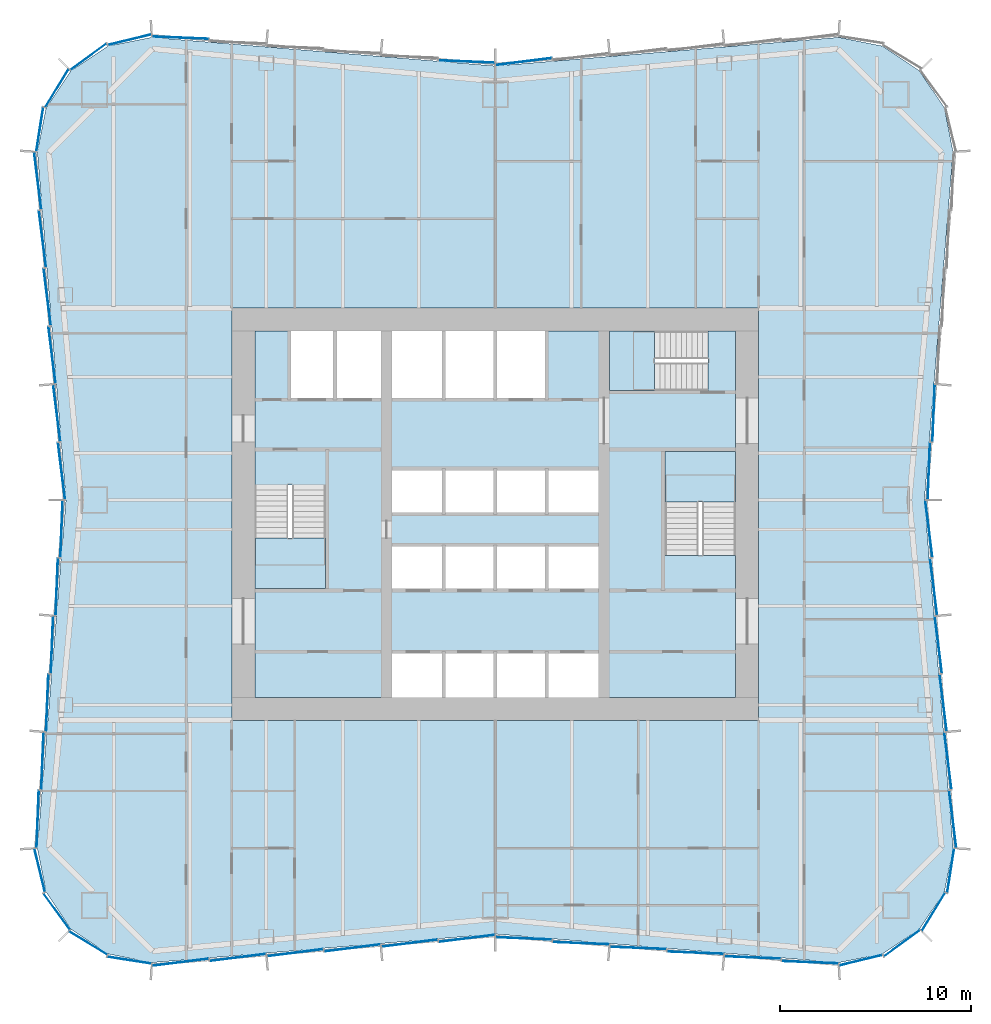
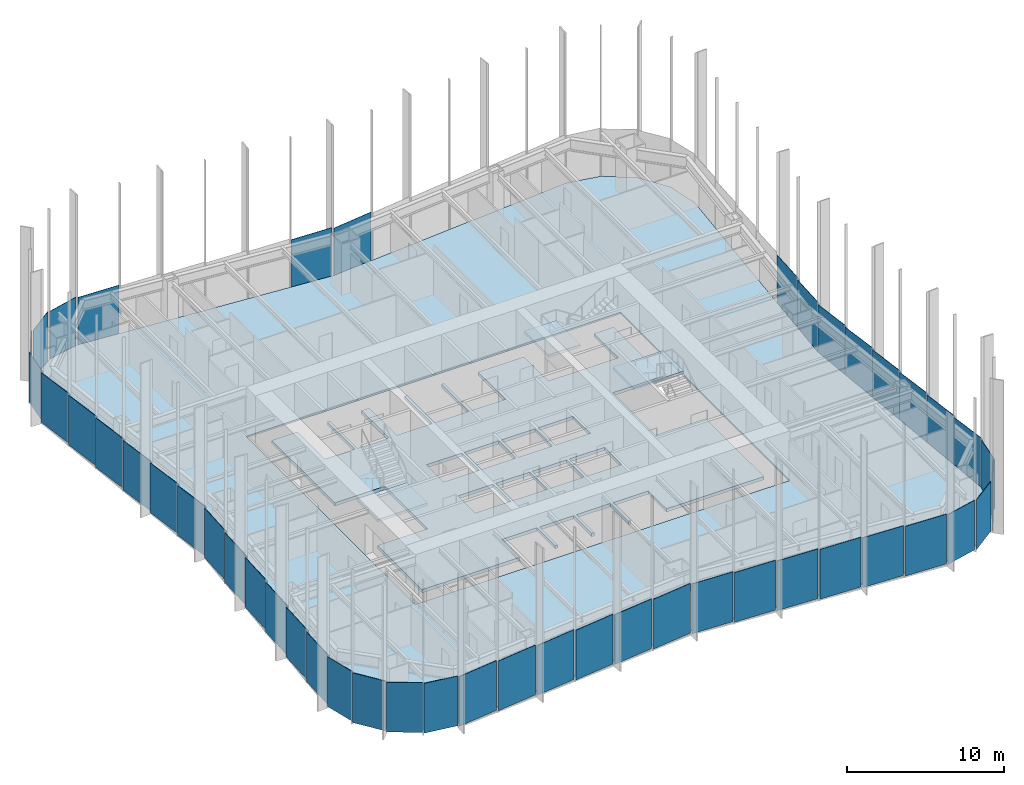
# One storey, part 7 of 13: 47 plates, 5 slabs, 10 elements without a shape of their own.
"""IFC4 building model written with IfcOpenShell, lengths in metres."""

from ifc_helpers import new_model, si_unit, direction, frame, origin, origin_2d, place, context, subcontext, project, spatial, polyline, rectangle, outline, extrude, material, layer, layer_set, type_object, element, aggregate, save


model = new_model("IFC4")

# Units and contexts
model_context = context("Model", 3, precision=1e-05, world=origin(), true_north=direction((0.0, 1.0)))
body_context = subcontext(model_context, "Body", "Model", "MODEL_VIEW")
ifc_project = project(units=[si_unit("LENGTHUNIT", "METRE"), si_unit("AREAUNIT", "SQUARE_METRE"), si_unit("VOLUMEUNIT", "CUBIC_METRE"), si_unit("PLANEANGLEUNIT", "RADIAN"), si_unit("MASSUNIT", "GRAM", prefix="KILO")], contexts=[model_context])

# Site, building, storey
site_placement = place(None, origin())
site = spatial("IfcSite", under=ifc_project, at=site_placement, CompositionType="ELEMENT")
building_placement = place(site_placement, origin())
building = spatial("IfcBuilding", under=site, at=building_placement, Name="Verdant Reach Tower", CompositionType="ELEMENT")
storey_placement = place(building_placement, frame((0.0, 0.0, 82.0)))
storey = spatial("IfcBuildingStorey", under=building, at=storey_placement, Name="L18", CompositionType="ELEMENT", Elevation=82.0)

# Stair, slab
ifc_material_1 = material(Name="Concrete C40/50", Category="concrete")
stair_type = type_object("IfcStairType", Name="CO-STAIR", PredefinedType="HALF_TURN_STAIR", material=ifc_material_1)
stair_1_placement = place(storey_placement, origin())
stair_1 = element("IfcStair", 1, at=stair_1_placement, inside=storey, type_object=stair_type, Name="L18 Exit stair 1", PredefinedType="HALF_TURN_STAIR")
ifc_layer_1 = layer(ifc_material_1, 0.199951171875)
ifc_layer_set_1 = layer_set([ifc_layer_1], Name="CO-STAIR-LANDING")
slab_type_1 = type_object("IfcSlabType", Name="CO-STAIR-LANDING", PredefinedType="LANDING", material=ifc_layer_set_1)
slab_1_placement = place(storey_placement, frame((0.0, 0.0, 1.800048828125)))
slab_1 = element("IfcSlab", 2, at=slab_1_placement, type_object=slab_type_1, Name="ST-1 landing 1", PredefinedType="LANDING", context=body_context, shape_type="SweptSolid", body=[
    extrude(outline(polyline([(-12.60009765625, 26.75), (-12.60009765625, 24.10009765625), (-8.89990234375, 24.10009765625), (-8.89990234375, 26.75), (-12.60009765625, 26.75)])), origin(), (0.0, 0.0, 1.0), 0.199951171875),
])
aggregate(stair_1, [slab_1])

stair_2_placement = place(storey_placement, origin())
stair_2 = element("IfcStair", 3, at=stair_2_placement, inside=storey, type_object=stair_type, Name="L18 Exit stair 2", PredefinedType="HALF_TURN_STAIR")
slab_2_placement = place(storey_placement, frame((0.0, 0.0, 1.800048828125)))
slab_2 = element("IfcSlab", 4, at=slab_2_placement, type_object=slab_type_1, Name="ST-2 landing 1", PredefinedType="LANDING", context=body_context, shape_type="SweptSolid", body=[
    extrude(outline(polyline([(12.60009765625, 28.64990234375), (12.60009765625, 31.300048828125), (8.89990234375, 31.300048828125), (8.89990234375, 28.64990234375), (12.60009765625, 28.64990234375)])), origin(), (0.0, 0.0, 1.0), 0.199951171875),
])
aggregate(stair_2, [slab_2])

stair_3_placement = place(storey_placement, origin())
stair_3 = element("IfcStair", 5, at=stair_3_placement, inside=storey, type_object=stair_type, Name="L18 Exit stair 3", PredefinedType="HALF_TURN_STAIR")
slab_3_placement = place(storey_placement, frame((0.0, 0.0, 1.800048828125)))
slab_3 = element("IfcSlab", 6, at=slab_3_placement, type_object=slab_type_1, Name="ST-3 landing 1", PredefinedType="LANDING", context=body_context, shape_type="SweptSolid", body=[
    extrude(outline(polyline([(8.35009765625, 37.60009765625), (6.0, 37.60009765625), (6.0, 34.5), (8.35009765625, 34.5), (8.35009765625, 37.60009765625)])), origin(), (0.0, 0.0, 1.0), 0.199951171875),
])
aggregate(stair_3, [slab_3])

# Curtain wall, plate
ifc_material_2 = material(Name="Anodised aluminium", Category="aluminium")
curtain_wall_type = type_object("IfcCurtainWallType", Name="EN-CW SYSTEM Z1", PredefinedType="NOTDEFINED", material=ifc_material_2)
curtain_wall_1_placement = place(storey_placement, origin())
curtain_wall_1 = element("IfcCurtainWall", 7, at=curtain_wall_1_placement, inside=storey, type_object=curtain_wall_type, Name="Curtain wall south-east corner, L18", PredefinedType="NOTDEFINED")
ifc_material_3 = material(Name="Tinted glass with champagne spandrel", Category="glass")
ifc_layer_2 = layer(ifc_material_3, 0.031982421875)
ifc_layer_set_2 = layer_set([ifc_layer_2], Name="EN-PANEL CHAMPAGNE")
plate_type_1 = type_object("IfcPlateType", Name="EN-PANEL CHAMPAGNE", PredefinedType="CURTAIN_PANEL", material=ifc_layer_set_2)
plate_1_placement = place(storey_placement, frame((19.170654296875, 4.62939453125, -0.22802734375), z_axis=(0.0, 0.0, 1.0), x_axis=(0.971660685934, 0.236380014828, 0.0)))
plate_1 = element("IfcPlate", 8, at=plate_1_placement, type_object=plate_type_1, Name="Glass panel south-east corner 1.1, L18", PredefinedType="CURTAIN_PANEL", context=body_context, shape_type="SweptSolid", body=[
    extrude(rectangle(XDim=2.317626953125, YDim=0.031982421875, at=origin_2d()), origin(), (0.0, 0.0, 1.0), 3.8779296875),
])

# Curtain wall, plates
curtain_wall_2_placement = place(storey_placement, origin())
curtain_wall_2 = element("IfcCurtainWall", 9, at=curtain_wall_2_placement, inside=storey, type_object=curtain_wall_type, Name="Curtain wall east, L18", PredefinedType="NOTDEFINED")
plate_2_placement = place(storey_placement, frame((22.9775390625, 24.196044921875, -0.22802734375), z_axis=(0.0, 0.0, 1.0), x_axis=(-0.123578623975, 0.992334784081, 0.0)))
plate_2 = element("IfcPlate", 10, at=plate_2_placement, type_object=plate_type_1, Name="Glass panel east face part 1 5.1, L18", PredefinedType="CURTAIN_PANEL", context=body_context, shape_type="SweptSolid", body=[
    extrude(rectangle(XDim=2.993896484375, YDim=0.031982421875, at=origin_2d()), origin(), (0.0, 0.0, 1.0), 3.8779296875),
])
plate_3_placement = place(storey_placement, frame((22.727783203125, 27.2333984375, -0.22802734375), z_axis=(0.0, 0.0, 1.0), x_axis=(-0.123691487663, 0.992320722287, 0.0)))
plate_3 = element("IfcPlate", 11, at=plate_3_placement, type_object=plate_type_1, Name="Glass panel east face part 1 6.1, L18", PredefinedType="CURTAIN_PANEL", context=body_context, shape_type="SweptSolid", body=[
    extrude(rectangle(XDim=2.985595703125, YDim=0.031982421875, at=origin_2d()), origin(), (0.0, 0.0, 1.0), 3.8779296875),
])
plate_4_placement = place(storey_placement, frame((22.727783203125, 30.2666015625, -0.22802734375), z_axis=(0.0, 0.0, 1.0), x_axis=(0.040222426271, 0.99919075077, 0.0)))
plate_4 = element("IfcPlate", 12, at=plate_4_placement, type_object=plate_type_1, Name="Glass panel east face part 2 1.1, L18", PredefinedType="CURTAIN_PANEL", context=body_context, shape_type="SweptSolid", body=[
    extrude(rectangle(XDim=2.985595703125, YDim=0.031982421875, at=origin_2d()), origin(), (0.0, 0.0, 1.0), 3.8779296875),
])

# Curtain wall, plate
curtain_wall_3_placement = place(storey_placement, origin())
curtain_wall_3 = element("IfcCurtainWall", 13, at=curtain_wall_3_placement, inside=storey, type_object=curtain_wall_type, Name="Curtain wall north, L18", PredefinedType="NOTDEFINED")
plate_5_placement = place(storey_placement, frame((-16.49853515625, 52.977783203125, -0.22802734375), z_axis=(0.0, 0.0, 1.0), x_axis=(-0.999162836679, 0.040909971885, 0.0)))
plate_5 = element("IfcPlate", 14, at=plate_5_placement, type_object=plate_type_1, Name="Glass panel north face part 2 6.1, L18", PredefinedType="CURTAIN_PANEL", context=body_context, shape_type="SweptSolid", body=[
    extrude(rectangle(XDim=2.966796875, YDim=0.031982421875, at=origin_2d()), origin(), (0.0, 0.0, 1.0), 3.8779296875),
])

# Curtain wall, plates
curtain_wall_4_placement = place(storey_placement, origin())
curtain_wall_4 = element("IfcCurtainWall", 15, at=curtain_wall_4_placement, inside=storey, type_object=curtain_wall_type, Name="Curtain wall north-west corner, L18", PredefinedType="NOTDEFINED")
plate_6_placement = place(storey_placement, frame((-22.97705078125, 50.325439453125, -0.22802734375), z_axis=(0.0, 0.0, 1.0), x_axis=(-0.520291572248, -0.85398868836, 0.0)))
plate_6 = element("IfcPlate", 16, at=plate_6_placement, type_object=plate_type_1, Name="Glass panel north-west corner 3.1, L18", PredefinedType="CURTAIN_PANEL", context=body_context, shape_type="SweptSolid", body=[
    extrude(rectangle(XDim=2.3232421875, YDim=0.031982421875, at=origin_2d()), origin(), (0.0, 0.0, 1.0), 3.8779296875),
])
plate_7_placement = place(storey_placement, frame((-23.87060546875, 48.170654296875, -0.22802734375), z_axis=(0.0, 0.0, 1.0), x_axis=(-0.154247912016, -0.988032176419, 0.0)))
plate_7 = element("IfcPlate", 17, at=plate_7_placement, type_object=plate_type_1, Name="Glass panel north-west corner 4.1, L18", PredefinedType="CURTAIN_PANEL", context=body_context, shape_type="SweptSolid", body=[
    extrude(rectangle(XDim=2.3173828125, YDim=0.031982421875, at=origin_2d()), origin(), (0.0, 0.0, 1.0), 3.8779296875),
])

curtain_wall_5_placement = place(storey_placement, origin())
curtain_wall_5 = element("IfcCurtainWall", 18, at=curtain_wall_5_placement, inside=storey, type_object=curtain_wall_type, Name="Curtain wall west, L18", PredefinedType="NOTDEFINED")
plate_8_placement = place(storey_placement, frame((-23.7275390625, 42.428955078125, -0.22802734375), z_axis=(0.0, 0.0, 1.0), x_axis=(0.123578623975, -0.992334784081, 0.0)))
plate_8 = element("IfcPlate", 19, at=plate_8_placement, type_object=plate_type_1, Name="Glass panel west face part 1 2.1, L18", PredefinedType="CURTAIN_PANEL", context=body_context, shape_type="SweptSolid", body=[
    extrude(rectangle(XDim=2.993896484375, YDim=0.031982421875, at=origin_2d()), origin(), (0.0, 0.0, 1.0), 3.8779296875),
])
plate_9_placement = place(storey_placement, frame((-23.4775390625, 39.387451171875, -0.22802734375), z_axis=(0.0, 0.0, 1.0), x_axis=(0.123578623975, -0.992334784081, 0.0)))
plate_9 = element("IfcPlate", 20, at=plate_9_placement, type_object=plate_type_1, Name="Glass panel west face part 1 3.1, L18", PredefinedType="CURTAIN_PANEL", context=body_context, shape_type="SweptSolid", body=[
    extrude(rectangle(XDim=2.993896484375, YDim=0.031982421875, at=origin_2d()), origin(), (0.0, 0.0, 1.0), 3.8779296875),
])
plate_10_placement = place(storey_placement, frame((-23.2275390625, 21.154296875, -0.22802734375), z_axis=(0.0, 0.0, 1.0), x_axis=(-0.040108781752, -0.999195319057, 0.0)))
plate_10 = element("IfcPlate", 21, at=plate_10_placement, type_object=plate_type_1, Name="Glass panel west face part 2 3.1, L18", PredefinedType="CURTAIN_PANEL", context=body_context, shape_type="SweptSolid", body=[
    extrude(rectangle(XDim=2.993896484375, YDim=0.031982421875, at=origin_2d()), origin(), (0.0, 0.0, 1.0), 3.8779296875),
])
plate_11_placement = place(storey_placement, frame((-23.4775390625, 18.112548828125, -0.22802734375), z_axis=(0.0, 0.0, 1.0), x_axis=(-0.040108781752, -0.999195319057, 0.0)))
plate_11 = element("IfcPlate", 22, at=plate_11_placement, type_object=plate_type_1, Name="Glass panel west face part 2 4.1, L18", PredefinedType="CURTAIN_PANEL", context=body_context, shape_type="SweptSolid", body=[
    extrude(rectangle(XDim=2.993896484375, YDim=0.031982421875, at=origin_2d()), origin(), (0.0, 0.0, 1.0), 3.8779296875),
])
plate_12_placement = place(storey_placement, frame((-23.7275390625, 15.071044921875, -0.22802734375), z_axis=(0.0, 0.0, 1.0), x_axis=(-0.040108781752, -0.999195319057, 0.0)))
plate_12 = element("IfcPlate", 23, at=plate_12_placement, type_object=plate_type_1, Name="Glass panel west face part 2 5.1, L18", PredefinedType="CURTAIN_PANEL", context=body_context, shape_type="SweptSolid", body=[
    extrude(rectangle(XDim=2.993896484375, YDim=0.031982421875, at=origin_2d()), origin(), (0.0, 0.0, 1.0), 3.8779296875),
])

curtain_wall_6_placement = place(storey_placement, origin())
curtain_wall_6 = element("IfcCurtainWall", 24, at=curtain_wall_6_placement, inside=storey, type_object=curtain_wall_type, Name="Curtain wall south-west corner, L18", PredefinedType="NOTDEFINED")
plate_13_placement = place(storey_placement, frame((-22.97705078125, 7.174560546875, -0.22802734375), z_axis=(0.0, 0.0, 1.0), x_axis=(0.589926768145, -0.807456753161, 0.0)))
plate_13 = element("IfcPlate", 25, at=plate_13_placement, type_object=plate_type_1, Name="Glass panel south-west corner 2.1, L18", PredefinedType="CURTAIN_PANEL", context=body_context, shape_type="SweptSolid", body=[
    extrude(rectangle(XDim=2.3232421875, YDim=0.031982421875, at=origin_2d()), origin(), (0.0, 0.0, 1.0), 3.8779296875),
])
plate_14_placement = place(storey_placement, frame((-21.325439453125, 5.52294921875, -0.22802734375), z_axis=(0.0, 0.0, 1.0), x_axis=(0.85398868836, -0.520291572248, 0.0)))
plate_14 = element("IfcPlate", 26, at=plate_14_placement, type_object=plate_type_1, Name="Glass panel south-west corner 3.1, L18", PredefinedType="CURTAIN_PANEL", context=body_context, shape_type="SweptSolid", body=[
    extrude(rectangle(XDim=2.3232421875, YDim=0.031982421875, at=origin_2d()), origin(), (0.0, 0.0, 1.0), 3.8779296875),
])

curtain_wall_7_placement = place(storey_placement, origin())
curtain_wall_7 = element("IfcCurtainWall", 27, at=curtain_wall_7_placement, inside=storey, type_object=curtain_wall_type, Name="Curtain wall south, L18", PredefinedType="NOTDEFINED")
plate_15_placement = place(storey_placement, frame((-16.49853515625, 4.522216796875, -0.22802734375), z_axis=(0.0, 0.0, 1.0), x_axis=(0.99223537376, 0.124374286167, 0.0)))
plate_15 = element("IfcPlate", 28, at=plate_15_placement, type_object=plate_type_1, Name="Glass panel south face part 1 1.1, L18", PredefinedType="CURTAIN_PANEL", context=body_context, shape_type="SweptSolid", body=[
    extrude(rectangle(XDim=2.966796875, YDim=0.031982421875, at=origin_2d()), origin(), (0.0, 0.0, 1.0), 3.8779296875),
])
plate_16_placement = place(storey_placement, frame((1.49560546875, 5.772216796875, -0.22802734375), z_axis=(0.0, 0.0, 1.0), x_axis=(0.99914430697, -0.041360051381, 0.0)))
plate_16 = element("IfcPlate", 29, at=plate_16_placement, type_object=plate_type_1, Name="Glass panel south face part 2 1.1, L18", PredefinedType="CURTAIN_PANEL", context=body_context, shape_type="SweptSolid", body=[
    extrude(rectangle(XDim=2.94384765625, YDim=0.031982421875, at=origin_2d()), origin(), (0.0, 0.0, 1.0), 3.8779296875),
])
plate_17_placement = place(storey_placement, frame((4.491455078125, 5.5224609375, -0.22802734375), z_axis=(0.0, 0.0, 1.0), x_axis=(0.999149202059, -0.041241629766, 0.0)))
plate_17 = element("IfcPlate", 30, at=plate_17_placement, type_object=plate_type_1, Name="Glass panel south face part 2 2.1, L18", PredefinedType="CURTAIN_PANEL", context=body_context, shape_type="SweptSolid", body=[
    extrude(rectangle(XDim=2.952392578125, YDim=0.031982421875, at=origin_2d()), origin(), (0.0, 0.0, 1.0), 3.8779296875),
])

# Plate
ifc_material_4 = material(Name="Tinted glass with copper spandrel", Category="glass")
ifc_layer_3 = layer(ifc_material_4, 0.031982421875)
ifc_layer_set_3 = layer_set([ifc_layer_3], Name="EN-PANEL COPPER")
plate_type_2 = type_object("IfcPlateType", Name="EN-PANEL COPPER", PredefinedType="CURTAIN_PANEL", material=ifc_layer_set_3)
plate_18_placement = place(storey_placement, frame((21.325439453125, 5.52294921875, -0.22802734375), z_axis=(0.0, 0.0, 1.0), x_axis=(0.807456753161, 0.589926768145, 0.0)))
plate_18 = element("IfcPlate", 31, at=plate_18_placement, type_object=plate_type_2, Name="Glass panel south-east corner 2.1, L18", PredefinedType="CURTAIN_PANEL", context=body_context, shape_type="SweptSolid", body=[
    extrude(rectangle(XDim=2.3232421875, YDim=0.031982421875, at=origin_2d()), origin(), (0.0, 0.0, 1.0), 3.8779296875),
])

plate_19_placement = place(storey_placement, frame((22.97705078125, 7.174560546875, -0.22802734375), z_axis=(0.0, 0.0, 1.0), x_axis=(0.520291572248, 0.85398868836, 0.0)))
plate_19 = element("IfcPlate", 32, at=plate_19_placement, type_object=plate_type_2, Name="Glass panel south-east corner 3.1, L18", PredefinedType="CURTAIN_PANEL", context=body_context, shape_type="SweptSolid", body=[
    extrude(rectangle(XDim=2.3232421875, YDim=0.031982421875, at=origin_2d()), origin(), (0.0, 0.0, 1.0), 3.8779296875),
])

plate_20_placement = place(storey_placement, frame((23.977783203125, 12.022216796875, -0.22802734375), z_axis=(0.0, 0.0, 1.0), x_axis=(-0.123256305275, 0.992374870304, 0.0)))
plate_20 = element("IfcPlate", 33, at=plate_20_placement, type_object=plate_type_2, Name="Glass panel east face part 1 1.1, L18", PredefinedType="CURTAIN_PANEL", context=body_context, shape_type="SweptSolid", body=[
    extrude(rectangle(XDim=3.00830078125, YDim=0.031982421875, at=origin_2d()), origin(), (0.0, 0.0, 1.0), 3.8779296875),
])

plate_21_placement = place(storey_placement, frame((23.7275390625, 15.071044921875, -0.22802734375), z_axis=(0.0, 0.0, 1.0), x_axis=(-0.123578623975, 0.992334784081, 0.0)))
plate_21 = element("IfcPlate", 34, at=plate_21_placement, type_object=plate_type_2, Name="Glass panel east face part 1 2.1, L18", PredefinedType="CURTAIN_PANEL", context=body_context, shape_type="SweptSolid", body=[
    extrude(rectangle(XDim=2.993896484375, YDim=0.031982421875, at=origin_2d()), origin(), (0.0, 0.0, 1.0), 3.8779296875),
])

plate_22_placement = place(storey_placement, frame((22.9775390625, 33.303955078125, -0.22802734375), z_axis=(0.0, 0.0, 1.0), x_axis=(0.040108781752, 0.999195319057, 0.0)))
plate_22 = element("IfcPlate", 35, at=plate_22_placement, type_object=plate_type_2, Name="Glass panel east face part 2 2.1, L18", PredefinedType="CURTAIN_PANEL", context=body_context, shape_type="SweptSolid", body=[
    extrude(rectangle(XDim=2.993896484375, YDim=0.031982421875, at=origin_2d()), origin(), (0.0, 0.0, 1.0), 3.8779296875),
])

plate_23_placement = place(storey_placement, frame((1.49560546875, 51.727783203125, -0.22802734375), z_axis=(0.0, 0.0, 1.0), x_axis=(-0.992179247355, -0.124821236644, 0.0)))
plate_23 = element("IfcPlate", 36, at=plate_23_placement, type_object=plate_type_2, Name="Glass panel north face part 1 6.1, L18", PredefinedType="CURTAIN_PANEL", context=body_context, shape_type="SweptSolid", body=[
    extrude(rectangle(XDim=2.94384765625, YDim=0.031982421875, at=origin_2d()), origin(), (0.0, 0.0, 1.0), 3.8779296875),
])

plate_24_placement = place(storey_placement, frame((-1.49560546875, 51.727783203125, -0.22802734375), z_axis=(0.0, 0.0, 1.0), x_axis=(-0.99914430697, 0.041360051381, 0.0)))
plate_24 = element("IfcPlate", 37, at=plate_24_placement, type_object=plate_type_2, Name="Glass panel north face part 2 1.1, L18", PredefinedType="CURTAIN_PANEL", context=body_context, shape_type="SweptSolid", body=[
    extrude(rectangle(XDim=2.94384765625, YDim=0.031982421875, at=origin_2d()), origin(), (0.0, 0.0, 1.0), 3.8779296875),
])

aggregate(curtain_wall_3, [plate_23, plate_24, plate_5])

plate_25_placement = place(storey_placement, frame((-23.2275390625, 36.345703125, -0.22802734375), z_axis=(0.0, 0.0, 1.0), x_axis=(0.123578623975, -0.992334784081, 0.0)))
plate_25 = element("IfcPlate", 38, at=plate_25_placement, type_object=plate_type_2, Name="Glass panel west face part 1 4.1, L18", PredefinedType="CURTAIN_PANEL", context=body_context, shape_type="SweptSolid", body=[
    extrude(rectangle(XDim=2.993896484375, YDim=0.031982421875, at=origin_2d()), origin(), (0.0, 0.0, 1.0), 3.8779296875),
])

plate_26_placement = place(storey_placement, frame((-22.9775390625, 33.303955078125, -0.22802734375), z_axis=(0.0, 0.0, 1.0), x_axis=(0.123578623975, -0.992334784081, 0.0)))
plate_26 = element("IfcPlate", 39, at=plate_26_placement, type_object=plate_type_2, Name="Glass panel west face part 1 5.1, L18", PredefinedType="CURTAIN_PANEL", context=body_context, shape_type="SweptSolid", body=[
    extrude(rectangle(XDim=2.993896484375, YDim=0.031982421875, at=origin_2d()), origin(), (0.0, 0.0, 1.0), 3.8779296875),
])

plate_27_placement = place(storey_placement, frame((-22.727783203125, 30.2666015625, -0.22802734375), z_axis=(0.0, 0.0, 1.0), x_axis=(0.123691487663, -0.992320722287, 0.0)))
plate_27 = element("IfcPlate", 40, at=plate_27_placement, type_object=plate_type_2, Name="Glass panel west face part 1 6.1, L18", PredefinedType="CURTAIN_PANEL", context=body_context, shape_type="SweptSolid", body=[
    extrude(rectangle(XDim=2.985595703125, YDim=0.031982421875, at=origin_2d()), origin(), (0.0, 0.0, 1.0), 3.8779296875),
])

plate_28_placement = place(storey_placement, frame((-23.977783203125, 12.022216796875, -0.22802734375), z_axis=(0.0, 0.0, 1.0), x_axis=(-0.039784239139, -0.999208293759, 0.0)))
plate_28 = element("IfcPlate", 41, at=plate_28_placement, type_object=plate_type_2, Name="Glass panel west face part 2 6.1, L18", PredefinedType="CURTAIN_PANEL", context=body_context, shape_type="SweptSolid", body=[
    extrude(rectangle(XDim=3.00830078125, YDim=0.031982421875, at=origin_2d()), origin(), (0.0, 0.0, 1.0), 3.8779296875),
])

plate_29_placement = place(storey_placement, frame((-19.170654296875, 4.62939453125, -0.22802734375), z_axis=(0.0, 0.0, 1.0), x_axis=(0.988032704995, -0.154244526195, 0.0)))
plate_29 = element("IfcPlate", 42, at=plate_29_placement, type_object=plate_type_2, Name="Glass panel south-west corner 4.1, L18", PredefinedType="CURTAIN_PANEL", context=body_context, shape_type="SweptSolid", body=[
    extrude(rectangle(XDim=2.317626953125, YDim=0.031982421875, at=origin_2d()), origin(), (0.0, 0.0, 1.0), 3.8779296875),
])

plate_30_placement = place(storey_placement, frame((-13.491455078125, 4.7724609375, -0.22802734375), z_axis=(0.0, 0.0, 1.0), x_axis=(0.992194034542, 0.124703639961, 0.0)))
plate_30 = element("IfcPlate", 43, at=plate_30_placement, type_object=plate_type_2, Name="Glass panel south face part 1 2.1, L18", PredefinedType="CURTAIN_PANEL", context=body_context, shape_type="SweptSolid", body=[
    extrude(rectangle(XDim=2.952392578125, YDim=0.031982421875, at=origin_2d()), origin(), (0.0, 0.0, 1.0), 3.8779296875),
])

plate_31_placement = place(storey_placement, frame((-10.491455078125, 5.0224609375, -0.22802734375), z_axis=(0.0, 0.0, 1.0), x_axis=(0.992194034542, 0.124703639961, 0.0)))
plate_31 = element("IfcPlate", 44, at=plate_31_placement, type_object=plate_type_2, Name="Glass panel south face part 1 3.1, L18", PredefinedType="CURTAIN_PANEL", context=body_context, shape_type="SweptSolid", body=[
    extrude(rectangle(XDim=2.952392578125, YDim=0.031982421875, at=origin_2d()), origin(), (0.0, 0.0, 1.0), 3.8779296875),
])

plate_32_placement = place(storey_placement, frame((7.491455078125, 5.2724609375, -0.22802734375), z_axis=(0.0, 0.0, 1.0), x_axis=(0.999149202059, -0.041241629766, 0.0)))
plate_32 = element("IfcPlate", 45, at=plate_32_placement, type_object=plate_type_2, Name="Glass panel south face part 2 3.1, L18", PredefinedType="CURTAIN_PANEL", context=body_context, shape_type="SweptSolid", body=[
    extrude(rectangle(XDim=2.952392578125, YDim=0.031982421875, at=origin_2d()), origin(), (0.0, 0.0, 1.0), 3.8779296875),
])

plate_33_placement = place(storey_placement, frame((10.491455078125, 5.0224609375, -0.22802734375), z_axis=(0.0, 0.0, 1.0), x_axis=(0.999149202059, -0.041241629766, 0.0)))
plate_33 = element("IfcPlate", 46, at=plate_33_placement, type_object=plate_type_2, Name="Glass panel south face part 2 4.1, L18", PredefinedType="CURTAIN_PANEL", context=body_context, shape_type="SweptSolid", body=[
    extrude(rectangle(XDim=2.952392578125, YDim=0.031982421875, at=origin_2d()), origin(), (0.0, 0.0, 1.0), 3.8779296875),
])

plate_34_placement = place(storey_placement, frame((13.491455078125, 4.7724609375, -0.22802734375), z_axis=(0.0, 0.0, 1.0), x_axis=(0.999149202059, -0.041241629766, 0.0)))
plate_34 = element("IfcPlate", 47, at=plate_34_placement, type_object=plate_type_2, Name="Glass panel south face part 2 5.1, L18", PredefinedType="CURTAIN_PANEL", context=body_context, shape_type="SweptSolid", body=[
    extrude(rectangle(XDim=2.952392578125, YDim=0.031982421875, at=origin_2d()), origin(), (0.0, 0.0, 1.0), 3.8779296875),
])

ifc_material_5 = material(Name="Tinted glass with dark bronze spandrel", Category="glass")
ifc_layer_4 = layer(ifc_material_5, 0.031982421875)
ifc_layer_set_4 = layer_set([ifc_layer_4], Name="EN-PANEL DARK")
plate_type_3 = type_object("IfcPlateType", Name="EN-PANEL DARK", PredefinedType="CURTAIN_PANEL", material=ifc_layer_set_4)
plate_35_placement = place(storey_placement, frame((23.87060546875, 9.329345703125, -0.22802734375), z_axis=(0.0, 0.0, 1.0), x_axis=(0.154247912016, 0.988032176419, 0.0)))
plate_35 = element("IfcPlate", 48, at=plate_35_placement, type_object=plate_type_3, Name="Glass panel south-east corner 4.1, L18", PredefinedType="CURTAIN_PANEL", context=body_context, shape_type="SweptSolid", body=[
    extrude(rectangle(XDim=2.3173828125, YDim=0.031982421875, at=origin_2d()), origin(), (0.0, 0.0, 1.0), 3.8779296875),
])

aggregate(curtain_wall_1, [plate_1, plate_18, plate_19, plate_35])

plate_36_placement = place(storey_placement, frame((23.4775390625, 18.112548828125, -0.22802734375), z_axis=(0.0, 0.0, 1.0), x_axis=(-0.123578623975, 0.992334784081, 0.0)))
plate_36 = element("IfcPlate", 49, at=plate_36_placement, type_object=plate_type_3, Name="Glass panel east face part 1 3.1, L18", PredefinedType="CURTAIN_PANEL", context=body_context, shape_type="SweptSolid", body=[
    extrude(rectangle(XDim=2.993896484375, YDim=0.031982421875, at=origin_2d()), origin(), (0.0, 0.0, 1.0), 3.8779296875),
])

plate_37_placement = place(storey_placement, frame((23.2275390625, 21.154296875, -0.22802734375), z_axis=(0.0, 0.0, 1.0), x_axis=(-0.123578623975, 0.992334784081, 0.0)))
plate_37 = element("IfcPlate", 50, at=plate_37_placement, type_object=plate_type_3, Name="Glass panel east face part 1 4.1, L18", PredefinedType="CURTAIN_PANEL", context=body_context, shape_type="SweptSolid", body=[
    extrude(rectangle(XDim=2.993896484375, YDim=0.031982421875, at=origin_2d()), origin(), (0.0, 0.0, 1.0), 3.8779296875),
])

aggregate(curtain_wall_2, [plate_20, plate_21, plate_36, plate_37, plate_2, plate_3, plate_4, plate_22])

plate_38_placement = place(storey_placement, frame((-19.170654296875, 52.87060546875, -0.22802734375), z_axis=(0.0, 0.0, 1.0), x_axis=(-0.971660685934, -0.236380014828, 0.0)))
plate_38 = element("IfcPlate", 51, at=plate_38_placement, type_object=plate_type_3, Name="Glass panel north-west corner 1.1, L18", PredefinedType="CURTAIN_PANEL", context=body_context, shape_type="SweptSolid", body=[
    extrude(rectangle(XDim=2.317626953125, YDim=0.031982421875, at=origin_2d()), origin(), (0.0, 0.0, 1.0), 3.8779296875),
])

plate_39_placement = place(storey_placement, frame((-21.325439453125, 51.97705078125, -0.22802734375), z_axis=(0.0, 0.0, 1.0), x_axis=(-0.807456753161, -0.589926768145, 0.0)))
plate_39 = element("IfcPlate", 52, at=plate_39_placement, type_object=plate_type_3, Name="Glass panel north-west corner 2.1, L18", PredefinedType="CURTAIN_PANEL", context=body_context, shape_type="SweptSolid", body=[
    extrude(rectangle(XDim=2.3232421875, YDim=0.031982421875, at=origin_2d()), origin(), (0.0, 0.0, 1.0), 3.8779296875),
])

aggregate(curtain_wall_4, [plate_38, plate_39, plate_6, plate_7])

plate_40_placement = place(storey_placement, frame((-23.977783203125, 45.477783203125, -0.22802734375), z_axis=(0.0, 0.0, 1.0), x_axis=(0.123256305275, -0.992374870304, 0.0)))
plate_40 = element("IfcPlate", 53, at=plate_40_placement, type_object=plate_type_3, Name="Glass panel west face part 1 1.1, L18", PredefinedType="CURTAIN_PANEL", context=body_context, shape_type="SweptSolid", body=[
    extrude(rectangle(XDim=3.00830078125, YDim=0.031982421875, at=origin_2d()), origin(), (0.0, 0.0, 1.0), 3.8779296875),
])

plate_41_placement = place(storey_placement, frame((-22.727783203125, 27.2333984375, -0.22802734375), z_axis=(0.0, 0.0, 1.0), x_axis=(-0.040222426271, -0.99919075077, 0.0)))
plate_41 = element("IfcPlate", 54, at=plate_41_placement, type_object=plate_type_3, Name="Glass panel west face part 2 1.1, L18", PredefinedType="CURTAIN_PANEL", context=body_context, shape_type="SweptSolid", body=[
    extrude(rectangle(XDim=2.985595703125, YDim=0.031982421875, at=origin_2d()), origin(), (0.0, 0.0, 1.0), 3.8779296875),
])

plate_42_placement = place(storey_placement, frame((-22.9775390625, 24.196044921875, -0.22802734375), z_axis=(0.0, 0.0, 1.0), x_axis=(-0.040108781752, -0.999195319057, 0.0)))
plate_42 = element("IfcPlate", 55, at=plate_42_placement, type_object=plate_type_3, Name="Glass panel west face part 2 2.1, L18", PredefinedType="CURTAIN_PANEL", context=body_context, shape_type="SweptSolid", body=[
    extrude(rectangle(XDim=2.993896484375, YDim=0.031982421875, at=origin_2d()), origin(), (0.0, 0.0, 1.0), 3.8779296875),
])

aggregate(curtain_wall_5, [plate_40, plate_8, plate_9, plate_25, plate_26, plate_27, plate_41, plate_42, plate_10, plate_11, plate_12, plate_28])

plate_43_placement = place(storey_placement, frame((-23.87060546875, 9.329345703125, -0.22802734375), z_axis=(0.0, 0.0, 1.0), x_axis=(0.236383344544, -0.971659875894, 0.0)))
plate_43 = element("IfcPlate", 56, at=plate_43_placement, type_object=plate_type_3, Name="Glass panel south-west corner 1.1, L18", PredefinedType="CURTAIN_PANEL", context=body_context, shape_type="SweptSolid", body=[
    extrude(rectangle(XDim=2.3173828125, YDim=0.031982421875, at=origin_2d()), origin(), (0.0, 0.0, 1.0), 3.8779296875),
])

aggregate(curtain_wall_6, [plate_43, plate_13, plate_14, plate_29])

plate_44_placement = place(storey_placement, frame((-7.491455078125, 5.2724609375, -0.22802734375), z_axis=(0.0, 0.0, 1.0), x_axis=(0.992194034542, 0.124703639961, 0.0)))
plate_44 = element("IfcPlate", 57, at=plate_44_placement, type_object=plate_type_3, Name="Glass panel south face part 1 4.1, L18", PredefinedType="CURTAIN_PANEL", context=body_context, shape_type="SweptSolid", body=[
    extrude(rectangle(XDim=2.952392578125, YDim=0.031982421875, at=origin_2d()), origin(), (0.0, 0.0, 1.0), 3.8779296875),
])

plate_45_placement = place(storey_placement, frame((-4.491455078125, 5.5224609375, -0.22802734375), z_axis=(0.0, 0.0, 1.0), x_axis=(0.992194034542, 0.124703639961, 0.0)))
plate_45 = element("IfcPlate", 58, at=plate_45_placement, type_object=plate_type_3, Name="Glass panel south face part 1 5.1, L18", PredefinedType="CURTAIN_PANEL", context=body_context, shape_type="SweptSolid", body=[
    extrude(rectangle(XDim=2.952392578125, YDim=0.031982421875, at=origin_2d()), origin(), (0.0, 0.0, 1.0), 3.8779296875),
])

plate_46_placement = place(storey_placement, frame((-1.49560546875, 5.772216796875, -0.22802734375), z_axis=(0.0, 0.0, 1.0), x_axis=(0.992179247355, 0.124821236644, 0.0)))
plate_46 = element("IfcPlate", 59, at=plate_46_placement, type_object=plate_type_3, Name="Glass panel south face part 1 6.1, L18", PredefinedType="CURTAIN_PANEL", context=body_context, shape_type="SweptSolid", body=[
    extrude(rectangle(XDim=2.94384765625, YDim=0.031982421875, at=origin_2d()), origin(), (0.0, 0.0, 1.0), 3.8779296875),
])

plate_47_placement = place(storey_placement, frame((16.49853515625, 4.522216796875, -0.22802734375), z_axis=(0.0, 0.0, 1.0), x_axis=(0.999162836679, -0.040909971885, 0.0)))
plate_47 = element("IfcPlate", 60, at=plate_47_placement, type_object=plate_type_3, Name="Glass panel south face part 2 6.1, L18", PredefinedType="CURTAIN_PANEL", context=body_context, shape_type="SweptSolid", body=[
    extrude(rectangle(XDim=2.966796875, YDim=0.031982421875, at=origin_2d()), origin(), (0.0, 0.0, 1.0), 3.8779296875),
])

aggregate(curtain_wall_7, [plate_15, plate_30, plate_31, plate_44, plate_45, plate_46, plate_16, plate_17, plate_32, plate_33, plate_34, plate_47])

# Slabs
ifc_material_6 = material(Name="Concrete C35/45", Category="concrete")
ifc_layer_5 = layer(ifc_material_6, 0.1298828125)
ifc_layer_set_5 = layer_set([ifc_layer_5], Name="ST-SLAB-130")
slab_type_2 = type_object("IfcSlabType", Name="ST-SLAB-130", PredefinedType="FLOOR", material=ifc_layer_set_5)
slab_4_placement = place(storey_placement, frame((0.0, 0.0, -0.1298828125)))
element("IfcSlab", 61, at=slab_4_placement, inside=storey, type_object=slab_type_2, Name="Floor slab L18", PredefinedType="FLOOR", context=body_context, shape_type="SweptSolid", body=[
    extrude(outline(polyline([(0.0, 6.0), (-18.0, 4.5), (-20.296142578125, 4.956787109375), (-22.24267578125, 6.25732421875), (-23.543212890625, 8.203857421875), (-24.0, 10.5), (-22.5, 28.75), (-24.0, 47.0), (-23.543212890625, 49.296142578125), (-22.24267578125, 51.24267578125), (-20.296142578125, 52.543212890625), (-18.0, 53.0), (0.0, 51.5), (18.0, 53.0), (20.296142578125, 52.543212890625), (22.24267578125, 51.24267578125), (23.543212890625, 49.296142578125), (24.0, 47.0), (22.5, 28.75), (24.0, 10.5), (23.543212890625, 8.203857421875), (22.24267578125, 6.25732421875), (20.296142578125, 4.956787109375), (18.0, 4.5), (0.0, 6.0)]), holes=[polyline([(13.800048828125, 38.800048828125), (-13.800048828125, 38.800048828125), (-13.800048828125, 17.199951171875), (13.800048828125, 17.199951171875), (13.800048828125, 38.800048828125)])]), origin(), (0.0, 0.0, 1.0), 0.1298828125),
])
ifc_layer_6 = layer(ifc_material_6, 0.25)
ifc_layer_set_6 = layer_set([ifc_layer_6], Name="ST-SLAB-250")
slab_type_3 = type_object("IfcSlabType", Name="ST-SLAB-250", PredefinedType="FLOOR", material=ifc_layer_set_6)
slab_5_placement = place(storey_placement, frame((0.0, 0.0, -0.25)))
element("IfcSlab", 62, at=slab_5_placement, inside=storey, type_object=slab_type_3, Name="Core floor slab L18", PredefinedType="FLOOR", context=body_context, shape_type="SweptSolid", body=[
    extrude(outline(polyline([(12.60009765625, 18.39990234375), (5.39990234375, 18.39990234375), (5.39990234375, 20.699951171875), (2.800048828125, 20.699951171875), (2.800048828125, 18.39990234375), (2.60009765625, 18.39990234375), (2.60009765625, 20.699951171875), (0.10009765625, 20.699951171875), (0.10009765625, 18.39990234375), (-0.10009765625, 18.39990234375), (-0.10009765625, 20.699951171875), (-2.60009765625, 20.699951171875), (-2.60009765625, 18.39990234375), (-2.800048828125, 18.39990234375), (-2.800048828125, 20.699951171875), (-5.39990234375, 20.699951171875), (-5.39990234375, 18.39990234375), (-12.60009765625, 18.39990234375), (-12.60009765625, 24.10009765625), (-8.89990234375, 24.10009765625), (-8.89990234375, 29.548095703125), (-12.60009765625, 29.548095703125), (-12.60009765625, 37.60009765625), (-10.699951171875, 37.60009765625), (-10.699951171875, 34.10009765625), (-8.5, 34.10009765625), (-8.5, 37.60009765625), (-8.300048828125, 37.60009765625), (-8.300048828125, 34.10009765625), (-6.0, 34.10009765625), (-6.0, 37.60009765625), (-5.39990234375, 37.60009765625), (-5.39990234375, 34.10009765625), (-2.800048828125, 34.10009765625), (-2.800048828125, 37.60009765625), (-2.60009765625, 37.60009765625), (-2.60009765625, 34.10009765625), (-0.10009765625, 34.10009765625), (-0.10009765625, 37.60009765625), (0.10009765625, 37.60009765625), (0.10009765625, 34.10009765625), (2.60009765625, 34.10009765625), (2.60009765625, 37.60009765625), (6.0, 37.60009765625), (6.0, 34.5), (11.14794921875, 34.5), (11.14794921875, 37.60009765625), (12.60009765625, 37.60009765625), (12.60009765625, 31.300048828125), (8.89990234375, 31.300048828125), (8.89990234375, 25.85205078125), (12.60009765625, 25.85205078125), (12.60009765625, 18.39990234375)]), holes=[polyline([(-2.800048828125, 24.10009765625), (-2.800048828125, 26.300048828125), (-5.39990234375, 26.300048828125), (-5.39990234375, 24.10009765625), (-2.800048828125, 24.10009765625)]), polyline([(-2.60009765625, 24.10009765625), (-0.10009765625, 24.10009765625), (-0.10009765625, 26.300048828125), (-2.60009765625, 26.300048828125), (-2.60009765625, 24.10009765625)]), polyline([(-2.800048828125, 28.10009765625), (-2.800048828125, 30.300048828125), (-5.39990234375, 30.300048828125), (-5.39990234375, 28.10009765625), (-2.800048828125, 28.10009765625)]), polyline([(-0.10009765625, 28.10009765625), (-0.10009765625, 30.300048828125), (-2.60009765625, 30.300048828125), (-2.60009765625, 28.10009765625), (-0.10009765625, 28.10009765625)]), polyline([(2.60009765625, 24.10009765625), (2.60009765625, 26.300048828125), (0.10009765625, 26.300048828125), (0.10009765625, 24.10009765625), (2.60009765625, 24.10009765625)]), polyline([(2.800048828125, 24.10009765625), (5.39990234375, 24.10009765625), (5.39990234375, 26.300048828125), (2.800048828125, 26.300048828125), (2.800048828125, 24.10009765625)]), polyline([(2.60009765625, 28.10009765625), (2.60009765625, 30.300048828125), (0.10009765625, 30.300048828125), (0.10009765625, 28.10009765625), (2.60009765625, 28.10009765625)]), polyline([(5.39990234375, 28.10009765625), (5.39990234375, 30.300048828125), (2.800048828125, 30.300048828125), (2.800048828125, 28.10009765625), (5.39990234375, 28.10009765625)])]), origin(), (0.0, 0.0, 1.0), 0.25),
])

save(model, "model.ifc")
